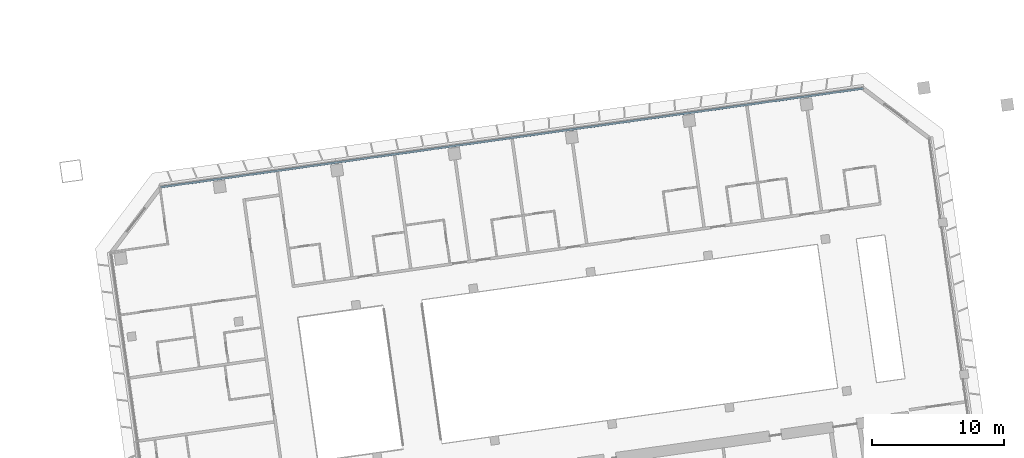
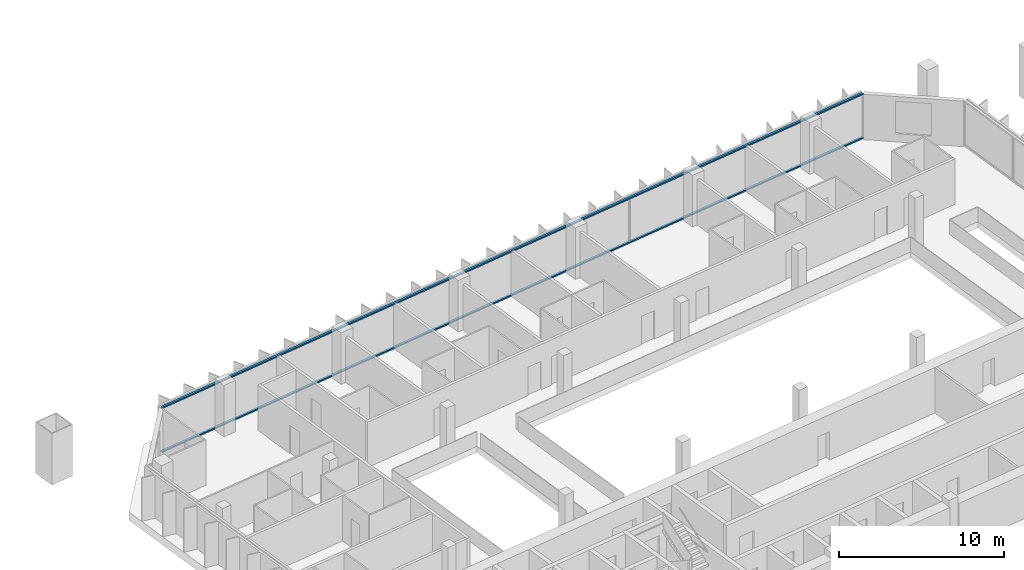
# One storey, part 9 of 26: 2 members, 1 element without a shape of its own.
"""IFC4 building model written with IfcOpenShell, lengths in metres."""

from ifc_helpers import new_model, si_unit, direction, frame, origin, origin_2d, place, context, subcontext, project, spatial, rectangle, extrude, material, material_profile, profile_set, type_object, element, aggregate, save


model = new_model("IFC4")

# Units and contexts
model_context = context("Model", 3, precision=1e-05, world=origin(), true_north=direction((0.0, 1.0)))
body_context = subcontext(model_context, "Body", "Model", "MODEL_VIEW")
ifc_project = project(units=[si_unit("LENGTHUNIT", "METRE"), si_unit("AREAUNIT", "SQUARE_METRE"), si_unit("VOLUMEUNIT", "CUBIC_METRE"), si_unit("PLANEANGLEUNIT", "RADIAN"), si_unit("MASSUNIT", "GRAM", prefix="KILO")], contexts=[model_context])

# Site, building, storey
site_placement = place(None, origin())
site = spatial("IfcSite", under=ifc_project, at=site_placement, CompositionType="ELEMENT")
building_placement = place(site_placement, origin())
building = spatial("IfcBuilding", under=site, at=building_placement, Name="Mirante Cascada Hotel Towers", CompositionType="ELEMENT")
storey_placement = place(building_placement, frame((0.0, 0.0, 98.7)))
storey = spatial("IfcBuildingStorey", under=building, at=storey_placement, Name="L21", CompositionType="ELEMENT", Elevation=98.7)

# Curtain wall, members
ifc_material_1 = material(Name="Aluminium mullion and transom frame with clear laminated glass", Category="aluminium")
curtain_wall_type = type_object("IfcCurtainWallType", Name="Ribbon curtain wall ECW1", PredefinedType="NOTDEFINED", material=ifc_material_1)
curtain_wall_placement = place(storey_placement, origin())
curtain_wall = element("IfcCurtainWall", 1, at=curtain_wall_placement, inside=storey, type_object=curtain_wall_type, Name="Front ribbon wall T2 L21", PredefinedType="NOTDEFINED")
ifc_material_2 = material(Name="Anodised aluminium extrusion", Category="aluminium")
ifc_material_profile = material_profile(ifc_material_2, rectangle(XDim=0.16, YDim=0.1, at=origin_2d()), Name="ECW1 TRANSOM 100x160")
ifc_profile_set = profile_set([ifc_material_profile], Name="Anodised aluminium extrusion")
member_type = type_object("IfcMemberType", Name="ECW1 transom 100x160", PredefinedType="USERDEFINED", material=ifc_profile_set)
member_1_placement = place(storey_placement, frame((85.2457, 24.7995, 0.05), z_axis=(-0.9902682, -0.1391722, 0.0), x_axis=(0.1391722, -0.9902682, 0.0)))
member_1 = element("IfcMember", 2, at=member_1_placement, type_object=member_type, Name="ECW1 sill transom", ObjectType="TRANSOM", PredefinedType="USERDEFINED", context=body_context, shape_type="SweptSolid", body=[
    extrude(rectangle(XDim=0.16, YDim=0.1, at=origin_2d()), origin(), (0.0, 0.0, 1.0), 53.8757),
])
member_2_placement = place(storey_placement, frame((85.2457, 24.7995, 3.3), z_axis=(-0.9902682, -0.1391722, 0.0), x_axis=(0.1391722, -0.9902682, 0.0)))
member_2 = element("IfcMember", 3, at=member_2_placement, type_object=member_type, Name="ECW1 head transom", ObjectType="TRANSOM", PredefinedType="USERDEFINED", context=body_context, shape_type="SweptSolid", body=[
    extrude(rectangle(XDim=0.16, YDim=0.1, at=origin_2d()), origin(), (0.0, 0.0, 1.0), 53.8757),
])
aggregate(curtain_wall, [member_1, member_2])

save(model, "model.ifc")
